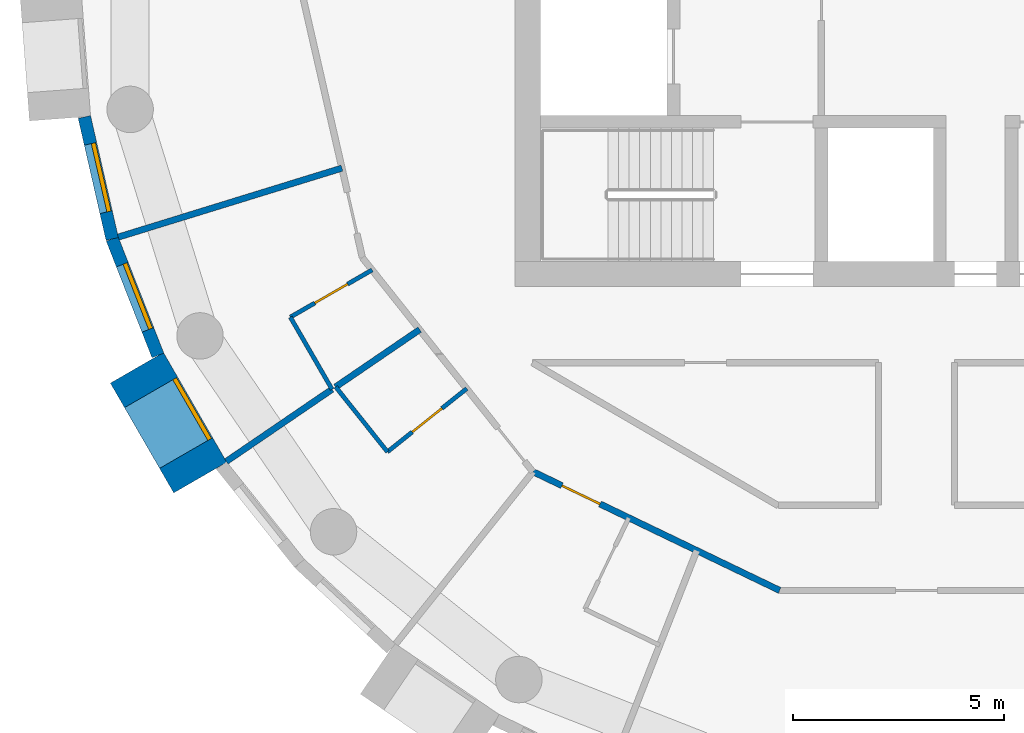
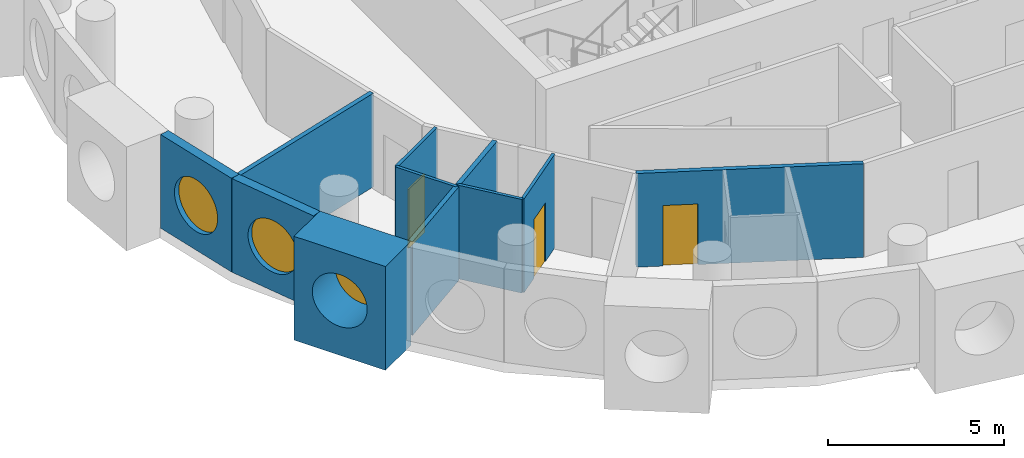
# One storey, part 2 of 13: 11 walls, 3 doors, 3 windows, 6 openings.
"""IFC4 building model written with IfcOpenShell, lengths in metres."""

from ifc_helpers import new_model, si_unit, direction, frame, frame_2d, origin, origin_2d, place, context, subcontext, project, spatial, rectangle, circle, extrude, material, layer, layer_set, type_object, element, fill, save


model = new_model("IFC4")

# Units and contexts
model_context = context("Model", 3, precision=1e-05, world=origin(), true_north=direction((0.0, 1.0)))
body_context = subcontext(model_context, "Body", "Model", "MODEL_VIEW")
ifc_project = project(units=[si_unit("LENGTHUNIT", "METRE"), si_unit("AREAUNIT", "SQUARE_METRE"), si_unit("VOLUMEUNIT", "CUBIC_METRE"), si_unit("PLANEANGLEUNIT", "RADIAN"), si_unit("MASSUNIT", "GRAM", prefix="KILO")], contexts=[model_context])

# Site, building, storey
site_placement = place(None, origin())
site = spatial("IfcSite", under=ifc_project, at=site_placement, CompositionType="ELEMENT")
building_placement = place(site_placement, origin())
building = spatial("IfcBuilding", under=site, at=building_placement, Name="Tracery Tower", CompositionType="ELEMENT")
storey_placement = place(building_placement, frame((0.0, 0.0, 259.800048828125)))
storey = spatial("IfcBuildingStorey", under=building, at=storey_placement, Name="L67", CompositionType="ELEMENT", Elevation=259.800048828125)

# Wall, opening, window
ifc_material_1 = material(Name="Precast concrete C50/60", Category="concrete")
ifc_layer_1 = layer(ifc_material_1, 1.449951171875)
ifc_layer_set_1 = layer_set([ifc_layer_1], Name="Deep-set bay unit 3000 x 3600, slab edge 350")
wall_type_1 = type_object("IfcWallType", Name="Deep-set bay unit 3000 x 3600, slab edge 350", PredefinedType="ELEMENTEDWALL", material=ifc_layer_set_1)
wall_1_placement = place(storey_placement, frame((-18.452392578125, -8.92138671875, -0.35009765625), z_axis=(0.0, 0.0, 1.0), x_axis=(0.499990139034, -0.866031096941, 0.0)))
wall_1 = element("IfcWall", 1, at=wall_1_placement, inside=storey, type_object=wall_type_1, Name="Deep-set bay unit 25 at L67", PredefinedType="ELEMENTEDWALL", context=body_context, shape_type="SweptSolid", body=[
    extrude(rectangle(XDim=3.0, YDim=1.449951171875, at=frame_2d((1.5, 0.0))), origin(), (0.0, 0.0, 1.0), 3.60009765625),
])
opening_1_placement = place(wall_1_placement, frame((1.5, 0.0, 1.89990234375)))
opening_1 = element("IfcOpeningElement", 2, at=opening_1_placement, cuts=wall_1, Name="Opening WN1", PredefinedType="OPENING", context=body_context, shape_type="SweptSolid", body=[
    extrude(circle(Radius=0.9000244140625, at=origin_2d()), frame((0.0, 0.73486328125, 0.0), z_axis=(0.0, -1.0, 0.0), x_axis=(1.0, 0.0, 0.0)), (0.0, 0.0, 1.0), 1.469970703125),
])
ifc_material_2 = material(Name="Aluminium frame with tinted double glazing", Category="aluminium")
window_type = type_object("IfcWindowType", Name="Round window 1800", PartitioningType="SINGLE_PANEL", PredefinedType="WINDOW", material=ifc_material_2)
window_1_placement = place(opening_1_placement, origin())
window_1 = element("IfcWindow", 3, at=window_1_placement, inside=storey, type_object=window_type, Name="Round window 25 at L67", OverallHeight=1.800048828125, OverallWidth=1.800048828125, PartitioningType="SINGLE_PANEL", PredefinedType="WINDOW", context=body_context, shape_type="SweptSolid", body=[
    extrude(circle(Radius=0.9000244140625, at=origin_2d()), frame((0.0, 0.69482421875, 0.0), z_axis=(0.0, -1.0, 0.0), x_axis=(1.0, 0.0, 0.0)), (0.0, 0.0, 1.0), 0.10009765625),
])
fill(opening_1, window_1)

ifc_material_3 = material(Name="Precast concrete C50/60", Category="concrete")
ifc_layer_2 = layer(ifc_material_3, 0.300048828125)
ifc_layer_set_2 = layer_set([ifc_layer_2], Name="Facade panel 3000 x 3250")
wall_type_2 = type_object("IfcWallType", Name="Facade panel 3000 x 3250", PredefinedType="SOLIDWALL", material=ifc_layer_set_2)
wall_2_placement = place(storey_placement, frame((-19.69580078125, -2.984130859375, 0.0), z_axis=(0.0, 0.0, 1.0), x_axis=(0.222529389789, -0.974925982155, 0.0)))
wall_2 = element("IfcWall", 4, at=wall_2_placement, inside=storey, type_object=wall_type_2, Name="Facade panel 23 at L67", PredefinedType="SOLIDWALL", context=body_context, shape_type="SweptSolid", body=[
    extrude(rectangle(XDim=2.962158203125, YDim=0.300048828125, at=frame_2d((1.48095703125, 0.0))), origin(), (0.0, 0.0, 1.0), 3.25),
])
opening_2_placement = place(wall_2_placement, frame((1.48095703125, 0.0, 1.5498046875)))
opening_2 = element("IfcOpeningElement", 5, at=opening_2_placement, cuts=wall_2, Name="Opening WN1", PredefinedType="OPENING", context=body_context, shape_type="SweptSolid", body=[
    extrude(circle(Radius=0.9000244140625, at=origin_2d()), frame((0.0, 0.159912109375, 0.0), z_axis=(0.0, -1.0, 0.0), x_axis=(1.0, 0.0, 0.0)), (0.0, 0.0, 1.0), 0.320068359375),
])
window_2_placement = place(opening_2_placement, origin())
window_2 = element("IfcWindow", 6, at=window_2_placement, inside=storey, type_object=window_type, Name="Round window 23 at L67", OverallHeight=1.800048828125, OverallWidth=1.800048828125, PartitioningType="SINGLE_PANEL", PredefinedType="WINDOW", context=body_context, shape_type="SweptSolid", body=[
    extrude(circle(Radius=0.9000244140625, at=origin_2d()), frame((0.0, 0.1201171875, 0.0), z_axis=(0.0, -1.0, 0.0), x_axis=(1.0, 0.0, 0.0)), (0.0, 0.0, 1.0), 0.10009765625),
])
fill(opening_2, window_2)

wall_3_placement = place(storey_placement, frame((-19.03662109375, -5.8720703125, 0.0), z_axis=(0.0, 0.0, 1.0), x_axis=(0.36530043032, -0.930889679612, 0.0)))
wall_3 = element("IfcWall", 7, at=wall_3_placement, inside=storey, type_object=wall_type_2, Name="Facade panel 24 at L67", PredefinedType="SOLIDWALL", context=body_context, shape_type="SweptSolid", body=[
    extrude(rectangle(XDim=2.9619140625, YDim=0.300048828125, at=frame_2d((1.48095703125, 0.0))), origin(), (0.0, 0.0, 1.0), 3.25),
])
opening_3_placement = place(wall_3_placement, frame((1.48095703125, 0.0, 1.5498046875)))
opening_3 = element("IfcOpeningElement", 8, at=opening_3_placement, cuts=wall_3, Name="Opening WN1", PredefinedType="OPENING", context=body_context, shape_type="SweptSolid", body=[
    extrude(circle(Radius=0.9000244140625, at=origin_2d()), frame((0.0, 0.159912109375, 0.0), z_axis=(0.0, -1.0, 0.0), x_axis=(1.0, 0.0, 0.0)), (0.0, 0.0, 1.0), 0.320068359375),
])
window_3_placement = place(opening_3_placement, origin())
window_3 = element("IfcWindow", 9, at=window_3_placement, inside=storey, type_object=window_type, Name="Round window 24 at L67", OverallHeight=1.800048828125, OverallWidth=1.800048828125, PartitioningType="SINGLE_PANEL", PredefinedType="WINDOW", context=body_context, shape_type="SweptSolid", body=[
    extrude(circle(Radius=0.9000244140625, at=origin_2d()), frame((0.0, 0.1201171875, 0.0), z_axis=(0.0, -1.0, 0.0), x_axis=(1.0, 0.0, 0.0)), (0.0, 0.0, 1.0), 0.10009765625),
])
fill(opening_3, window_3)

# Wall, opening, door
ifc_material_4 = material(Name="Plasterboard on steel studs", Category="steel")
ifc_layer_3 = layer(ifc_material_4, 0.10009765625)
ifc_layer_set_3 = layer_set([ifc_layer_3], Name="Partition 100 wet wall")
wall_type_3 = type_object("IfcWallType", Name="Partition 100 wet wall", PredefinedType="PARTITIONING", material=ifc_layer_set_3)
wall_4_placement = place(storey_placement, frame((-14.820068359375, -7.721923828125, 0.0), z_axis=(0.0, 0.0, 1.0), x_axis=(0.866076416361, 0.499911633214, 0.0)))
wall_4 = element("IfcWall", 10, at=wall_4_placement, inside=storey, type_object=wall_type_3, Name="Wet wall RC3-070", PredefinedType="PARTITIONING", context=body_context, shape_type="SweptSolid", body=[
    extrude(rectangle(XDim=2.234375, YDim=0.10009765625, at=frame_2d((1.1171875, 0.0))), origin(), (0.0, 0.0, 1.0), 3.25),
])
opening_4_placement = place(wall_4_placement, frame((0.667236328125, 0.0, 0.0)))
opening_4 = element("IfcOpeningElement", 11, at=opening_4_placement, cuts=wall_4, Name="Opening RC3-18", PredefinedType="OPENING", context=body_context, shape_type="SweptSolid", body=[
    extrude(rectangle(XDim=0.89990234375, YDim=2.0400390625, at=frame_2d((0.449951171875, 1.02001953125))), frame((0.0, 0.050048828125, 0.0), z_axis=(0.0, -1.0, 0.0), x_axis=(1.0, 0.0, 0.0)), (0.0, 0.0, 1.0), 0.10009765625),
])
ifc_material_5 = material(Name="Timber door leaf", Category="wood")
door_type_1 = type_object("IfcDoorType", Name="Door en-suite 900", OperationType="NOTDEFINED", PredefinedType="DOOR", material=ifc_material_5)
door_1_placement = place(opening_4_placement, origin())
door_1 = element("IfcDoor", 12, at=door_1_placement, inside=storey, type_object=door_type_1, Name="En-suite door RC3-18", OperationType="SINGLE_SWING_LEFT", OverallHeight=2.0400390625, OverallWidth=0.89990234375, PredefinedType="DOOR", context=body_context, shape_type="SweptSolid", body=[
    extrude(rectangle(XDim=0.89990234375, YDim=2.0400390625, at=frame_2d((0.449951171875, 1.02001953125))), frame((0.0, 0.02490234375, 0.0), z_axis=(0.0, -1.0, 0.0), x_axis=(1.0, 0.0, 0.0)), (0.0, 0.0, 1.0), 0.050048828125),
])
fill(opening_4, door_1)

# Walls
wall_5_placement = place(storey_placement, frame((-14.820068359375, -7.721923828125, 0.0), z_axis=(0.0, 0.0, 1.0), x_axis=(0.500143626598, -0.865942465048, 0.0)))
element("IfcWall", 13, at=wall_5_placement, inside=storey, type_object=wall_type_3, Name="Wet wall RC3-071", PredefinedType="PARTITIONING", context=body_context, shape_type="SweptSolid", body=[
    extrude(rectangle(XDim=1.9736328125, YDim=0.10009765625, at=frame_2d((0.98681640625, 0.0))), origin(), (0.0, 0.0, 1.0), 3.25),
])
wall_6_placement = place(storey_placement, frame((-13.7470703125, -9.373046875, 0.0), z_axis=(0.0, 0.0, 1.0), x_axis=(0.623330716607, -0.781958322249, 0.0)))
element("IfcWall", 14, at=wall_6_placement, inside=storey, type_object=wall_type_3, Name="Wet wall RC3-074", PredefinedType="PARTITIONING", context=body_context, shape_type="SweptSolid", body=[
    extrude(rectangle(XDim=1.96533203125, YDim=0.10009765625, at=frame_2d((0.982666015625, 0.0))), origin(), (0.0, 0.0, 1.0), 3.25),
])

# Wall, opening, door
wall_7_placement = place(storey_placement, frame((-12.52197265625, -10.909912109375, 0.0), z_axis=(0.0, 0.0, 1.0), x_axis=(0.781830263661, 0.623491330191, 0.0)))
wall_7 = element("IfcWall", 15, at=wall_7_placement, inside=storey, type_object=wall_type_3, Name="Wet wall RC3-075", PredefinedType="PARTITIONING", context=body_context, shape_type="SweptSolid", body=[
    extrude(rectangle(XDim=2.400634765625, YDim=0.10009765625, at=frame_2d((1.2001953125, 0.0))), origin(), (0.0, 0.0, 1.0), 3.25),
])
opening_5_placement = place(wall_7_placement, frame((0.75, 0.0, 0.0)))
opening_5 = element("IfcOpeningElement", 16, at=opening_5_placement, cuts=wall_7, Name="Opening RC3-20", PredefinedType="OPENING", context=body_context, shape_type="SweptSolid", body=[
    extrude(rectangle(XDim=0.89990234375, YDim=2.0400390625, at=frame_2d((0.449951171875, 1.02001953125))), frame((0.0, 0.050048828125, 0.0), z_axis=(0.0, -1.0, 0.0), x_axis=(1.0, 0.0, 0.0)), (0.0, 0.0, 1.0), 0.10009765625),
])
door_2_placement = place(opening_5_placement, origin())
door_2 = element("IfcDoor", 17, at=door_2_placement, inside=storey, type_object=door_type_1, Name="En-suite door RC3-20", OperationType="SINGLE_SWING_LEFT", OverallHeight=2.0400390625, OverallWidth=0.89990234375, PredefinedType="DOOR", context=body_context, shape_type="SweptSolid", body=[
    extrude(rectangle(XDim=0.89990234375, YDim=2.0400390625, at=frame_2d((0.449951171875, 1.02001953125))), frame((0.0, 0.02490234375, 0.0), z_axis=(0.0, -1.0, 0.0), x_axis=(1.0, 0.0, 0.0)), (0.0, 0.0, 1.0), 0.050048828125),
])
fill(opening_5, door_2)

# Walls
ifc_material_6 = material(Name="Plasterboard on steel studs", Category="steel")
ifc_layer_4 = layer(ifc_material_6, 0.14990234375)
ifc_layer_set_4 = layer_set([ifc_layer_4], Name="Partition 150 acoustic unit wall")
wall_type_4 = type_object("IfcWallType", Name="Partition 150 acoustic unit wall", PredefinedType="PARTITIONING", material=ifc_layer_set_4)
wall_8_placement = place(storey_placement, frame((-18.89306640625, -5.827880859375, 0.0), z_axis=(0.0, 0.0, 1.0), x_axis=(0.955580602693, 0.294729896274, 0.0)))
element("IfcWall", 18, at=wall_8_placement, inside=storey, type_object=wall_type_4, Name="Unit wall RC3-069", PredefinedType="PARTITIONING", context=body_context, shape_type="SweptSolid", body=[
    extrude(rectangle(XDim=5.5400390625, YDim=0.14990234375, at=frame_2d((2.77001953125, 0.0))), origin(), (0.0, 0.0, 1.0), 3.25),
])
wall_9_placement = place(storey_placement, frame((-16.3359375, -11.137939453125, 0.0), z_axis=(0.0, 0.0, 1.0), x_axis=(0.826152320289, 0.56344684193, 0.0)))
element("IfcWall", 19, at=wall_9_placement, inside=storey, type_object=wall_type_4, Name="Unit wall RC3-072", PredefinedType="PARTITIONING", context=body_context, shape_type="SweptSolid", body=[
    extrude(rectangle(XDim=3.029541015625, YDim=0.14990234375, at=frame_2d((1.5146484375, 0.0))), origin(), (0.0, 0.0, 1.0), 3.25),
])
wall_10_placement = place(storey_placement, frame((-13.75, -9.375, 0.0), z_axis=(0.0, 0.0, 1.0), x_axis=(0.826143746222, 0.563459413426, 0.0)))
element("IfcWall", 20, at=wall_10_placement, inside=storey, type_object=wall_type_4, Name="Unit wall RC3-073", PredefinedType="PARTITIONING", context=body_context, shape_type="SweptSolid", body=[
    extrude(rectangle(XDim=2.409912109375, YDim=0.14990234375, at=frame_2d((1.205078125, 0.0))), origin(), (0.0, 0.0, 1.0), 3.25),
])

# Wall, opening, door
ifc_material_7 = material(Name="Plasterboard on steel studs", Category="steel")
ifc_layer_5 = layer(ifc_material_7, 0.14990234375)
ifc_layer_set_5 = layer_set([ifc_layer_5], Name="Partition 150 corridor wall")
wall_type_5 = type_object("IfcWallType", Name="Partition 150 corridor wall", PredefinedType="PARTITIONING", material=ifc_layer_set_5)
wall_11_placement = place(storey_placement, frame((-9.075927734375, -11.381103515625, 0.0), z_axis=(0.0, 0.0, 1.0), x_axis=(0.901070942113, -0.433671716024, 0.0)))
wall_11 = element("IfcWall", 21, at=wall_11_placement, inside=storey, type_object=wall_type_5, Name="Corridor wall RC3-043", PredefinedType="PARTITIONING", context=body_context, shape_type="SweptSolid", body=[
    extrude(rectangle(XDim=6.478515625, YDim=0.14990234375, at=frame_2d((3.2392578125, 0.0))), origin(), (0.0, 0.0, 1.0), 3.25),
])
opening_6_placement = place(wall_11_placement, frame((0.76025390625, 0.0, 0.0)))
opening_6 = element("IfcOpeningElement", 22, at=opening_6_placement, cuts=wall_11, Name="Opening RC3-23", PredefinedType="OPENING", context=body_context, shape_type="SweptSolid", body=[
    extrude(rectangle(XDim=1.0, YDim=2.10009765625, at=frame_2d((0.5, 1.050048828125))), frame((0.0, 0.074951171875, 0.0), z_axis=(0.0, -1.0, 0.0), x_axis=(1.0, 0.0, 0.0)), (0.0, 0.0, 1.0), 0.14990234375),
])
ifc_material_8 = material(Name="Timber door leaf", Category="wood")
door_type_2 = type_object("IfcDoorType", Name="Door unit entrance 1000", OperationType="NOTDEFINED", PredefinedType="DOOR", material=ifc_material_8)
door_3_placement = place(opening_6_placement, origin())
door_3 = element("IfcDoor", 23, at=door_3_placement, inside=storey, type_object=door_type_2, Name="Unit entrance door RC3-23", OperationType="SINGLE_SWING_LEFT", OverallHeight=2.10009765625, OverallWidth=1.0, PredefinedType="DOOR", context=body_context, shape_type="SweptSolid", body=[
    extrude(rectangle(XDim=1.0, YDim=2.10009765625, at=frame_2d((0.5, 1.050048828125))), frame((0.0, 0.02490234375, 0.0), z_axis=(0.0, -1.0, 0.0), x_axis=(1.0, 0.0, 0.0)), (0.0, 0.0, 1.0), 0.050048828125),
])
fill(opening_6, door_3)

save(model, "model.ifc")
